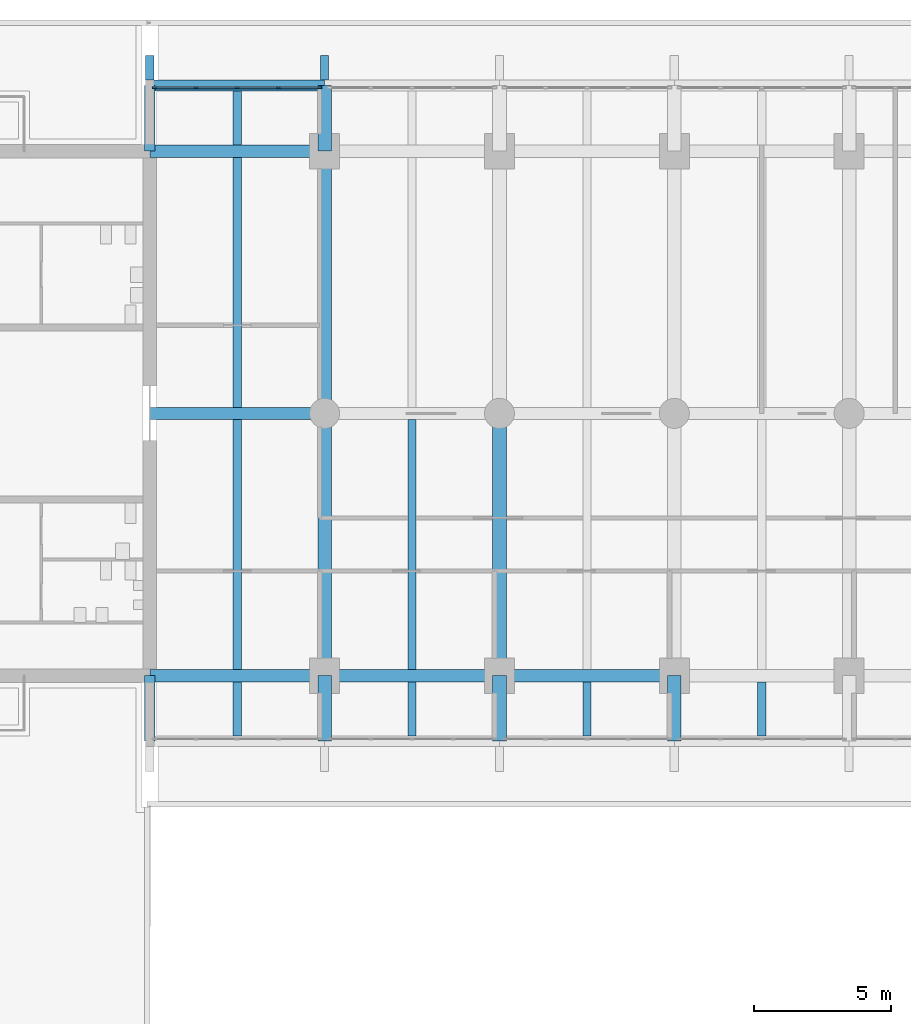
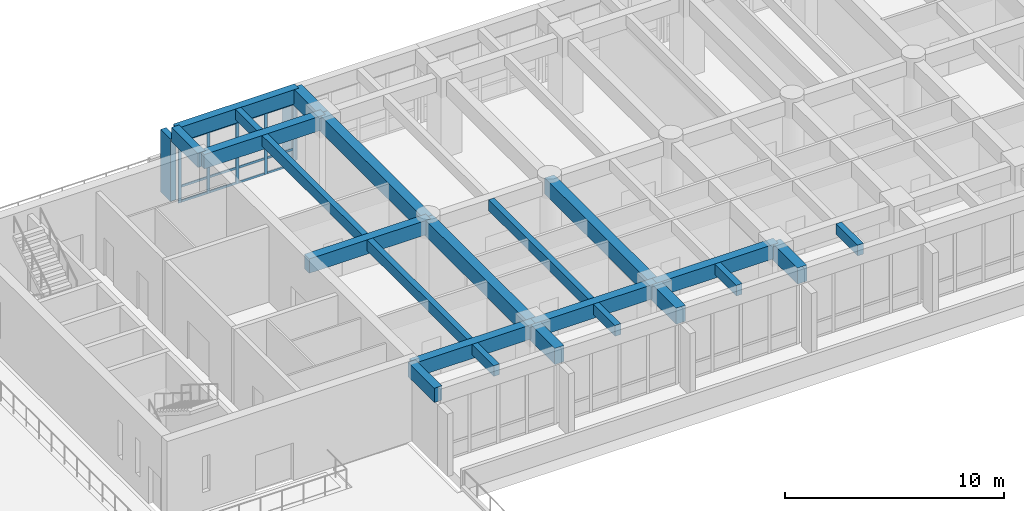
# One storey, part 4 of 21: 23 beams, 19 members, 1 element without a shape of its own.
"""IFC4 building model written with IfcOpenShell, lengths in metres."""

from ifc_helpers import new_model, si_unit, direction, frame, origin, origin_2d, place, context, subcontext, project, spatial, rectangle, extrude, material, layer, layer_set, material_profile, profile_set, type_object, element, aggregate, save


model = new_model("IFC4")

# Units and contexts
model_context = context("Model", 3, precision=1e-05, world=origin(), true_north=direction((0.0, 1.0)))
body_context = subcontext(model_context, "Body", "Model", "MODEL_VIEW")
ifc_project = project(units=[si_unit("LENGTHUNIT", "METRE"), si_unit("AREAUNIT", "SQUARE_METRE"), si_unit("VOLUMEUNIT", "CUBIC_METRE"), si_unit("PLANEANGLEUNIT", "RADIAN"), si_unit("MASSUNIT", "GRAM", prefix="KILO")], contexts=[model_context])

# Site, building, storey
site_placement = place(None, origin())
site = spatial("IfcSite", under=ifc_project, at=site_placement, CompositionType="ELEMENT")
building_placement = place(site_placement, origin())
building = spatial("IfcBuilding", under=site, at=building_placement, Name="Fogon Plaza Fire Station and Headquarters Tower", CompositionType="ELEMENT")
storey_placement = place(building_placement, frame((0.0, 0.0, 8.39990234375)))
storey = spatial("IfcBuildingStorey", under=building, at=storey_placement, Name="L02", CompositionType="ELEMENT", Elevation=8.39990234375)

# Beams
ifc_material_1 = material(Name="Concrete C40", Category="concrete")
ifc_material_profile_1 = material_profile(ifc_material_1, rectangle(XDim=0.39990234375, YDim=0.800048828125, at=origin_2d()), Name="RC 400x800")
ifc_profile_set_1 = profile_set([ifc_material_profile_1], Name="Concrete C40")
beam_type_1 = type_object("IfcBeamType", Name="BEAM RC 400x800", PredefinedType="BEAM", material=ifc_profile_set_1)
beam_1_placement = place(storey_placement, frame((25.60009765625, 55.199951171875, 3.880126953125), z_axis=(1.0, 0.0, 0.0), x_axis=(0.0, 1.0, 0.0)))
element("IfcBeam", 1, at=beam_1_placement, inside=storey, type_object=beam_type_1, Name="beam-L02-045", PredefinedType="BEAM", context=body_context, shape_type="SweptSolid", body=[
    extrude(rectangle(XDim=0.39990234375, YDim=0.800048828125, at=origin_2d()), origin(), (0.0, 0.0, 1.0), 6.39990234375),
])
ifc_material_2 = material(Name="Concrete C40", Category="concrete")
ifc_material_profile_2 = material_profile(ifc_material_2, rectangle(XDim=0.39990234375, YDim=0.800048828125, at=origin_2d()), Name="RC 400x800")
ifc_profile_set_2 = profile_set([ifc_material_profile_2], Name="Concrete C40")
beam_type_2 = type_object("IfcBeamType", Name="BEAM RC 400x800 SPAN 0.0 TO 3.0 M", PredefinedType="BEAM", material=ifc_profile_set_2)
beam_2_placement = place(storey_placement, frame((25.60009765625, 31.199951171875, 3.880126953125), z_axis=(0.0, 1.0, 0.0), x_axis=(-1.0, 0.0, 0.0)))
element("IfcBeam", 2, at=beam_2_placement, inside=storey, type_object=beam_type_2, Name="beam-L02-051", PredefinedType="BEAM", context=body_context, shape_type="SweptSolid", body=[
    extrude(rectangle(XDim=0.39990234375, YDim=0.800048828125, at=origin_2d()), origin(), (0.0, 0.0, 1.0), 2.400146484375),
])
beam_3_placement = place(storey_placement, frame((25.60009765625, 52.800048828125, 3.880126953125), z_axis=(0.0, 1.0, 0.0), x_axis=(-1.0, 0.0, 0.0)))
element("IfcBeam", 3, at=beam_3_placement, inside=storey, type_object=beam_type_2, Name="beam-L02-052", PredefinedType="BEAM", context=body_context, shape_type="SweptSolid", body=[
    extrude(rectangle(XDim=0.39990234375, YDim=0.800048828125, at=origin_2d()), origin(), (0.0, 0.0, 1.0), 2.39990234375),
])
ifc_material_3 = material(Name="Concrete C40", Category="concrete")
ifc_material_profile_3 = material_profile(ifc_material_3, rectangle(XDim=0.449951171875, YDim=0.800048828125, at=origin_2d()), Name="RC 450x800")
ifc_profile_set_3 = profile_set([ifc_material_profile_3], Name="Concrete C40")
beam_type_3 = type_object("IfcBeamType", Name="BEAM RC 450x800", PredefinedType="BEAM", material=ifc_profile_set_3)
for number, where, z_axis, x_axis, name in (
    (4, (25.60009765625, 33.60009765625, 3.880126953125), (1.0, 0.0, 0.0), (0.0, 1.0, 0.0), "beam-L02-021"),
    (5, (32.0, 33.60009765625, 3.880126953125), (1.0, 0.0, 0.0), (0.0, 1.0, 0.0), "beam-L02-022"),
):
    element("IfcBeam", number, at=place(storey_placement, frame(where, z_axis=z_axis, x_axis=x_axis)), inside=storey, type_object=beam_type_3, Name=name, PredefinedType="BEAM", context=body_context, shape_type="SweptSolid", body=[
        extrude(rectangle(XDim=0.449951171875, YDim=0.800048828125, at=origin_2d()), origin(), (0.0, 0.0, 1.0), 6.39990234375),
    ])
beam_4_placement = place(storey_placement, frame((38.39990234375, 33.60009765625, 3.880126953125), z_axis=(1.0, 0.0, 0.0), x_axis=(0.0, 1.0, 0.0)))
element("IfcBeam", 6, at=beam_4_placement, inside=storey, type_object=beam_type_3, Name="beam-L02-023", PredefinedType="BEAM", context=body_context, shape_type="SweptSolid", body=[
    extrude(rectangle(XDim=0.449951171875, YDim=0.800048828125, at=origin_2d()), origin(), (0.0, 0.0, 1.0), 6.400146484375),
])
for number, where, z_axis, x_axis, name in (
    (7, (25.60009765625, 43.199951171875, 3.880126953125), (1.0, 0.0, 0.0), (0.0, 1.0, 0.0), "beam-L02-027"),
    (8, (25.60009765625, 52.800048828125, 3.880126953125), (1.0, 0.0, 0.0), (0.0, 1.0, 0.0), "beam-L02-033"),
):
    element("IfcBeam", number, at=place(storey_placement, frame(where, z_axis=z_axis, x_axis=x_axis)), inside=storey, type_object=beam_type_3, Name=name, PredefinedType="BEAM", context=body_context, shape_type="SweptSolid", body=[
        extrude(rectangle(XDim=0.449951171875, YDim=0.800048828125, at=origin_2d()), origin(), (0.0, 0.0, 1.0), 6.39990234375),
    ])
ifc_material_4 = material(Name="Concrete C40", Category="concrete")
ifc_material_profile_4 = material_profile(ifc_material_4, rectangle(XDim=0.5, YDim=0.89990234375, at=origin_2d()), Name="RC 500x900")
ifc_profile_set_4 = profile_set([ifc_material_profile_4], Name="Concrete C40")
beam_type_4 = type_object("IfcBeamType", Name="BEAM RC 500x900 SPAN 0.0 TO 3.0 M", PredefinedType="BEAM", material=ifc_profile_set_4)
beam_5_placement = place(storey_placement, frame((32.0, 31.199951171875, 3.830078125), z_axis=(0.0, 1.0, 0.0), x_axis=(-1.0, 0.0, 0.0)))
element("IfcBeam", 9, at=beam_5_placement, inside=storey, type_object=beam_type_4, Name="beam-L02-001", PredefinedType="BEAM", context=body_context, shape_type="SweptSolid", body=[
    extrude(rectangle(XDim=0.5, YDim=0.89990234375, at=origin_2d()), origin(), (0.0, 0.0, 1.0), 2.400146484375),
])
beam_6_placement = place(storey_placement, frame((32.0, 52.800048828125, 3.830078125), z_axis=(0.0, 1.0, 0.0), x_axis=(-1.0, 0.0, 0.0)))
element("IfcBeam", 10, at=beam_6_placement, inside=storey, type_object=beam_type_4, Name="beam-L02-004", PredefinedType="BEAM", context=body_context, shape_type="SweptSolid", body=[
    extrude(rectangle(XDim=0.5, YDim=0.89990234375, at=origin_2d()), origin(), (0.0, 0.0, 1.0), 2.39990234375),
])
for number, where, z_axis, x_axis, name in (
    (11, (38.39990234375, 31.199951171875, 3.830078125), (0.0, 1.0, 0.0), (-1.0, 0.0, 0.0), "beam-L02-005"),
    (12, (44.800048828125, 31.199951171875, 3.830078125), (0.0, 1.0, 0.0), (-1.0, 0.0, 0.0), "beam-L02-009"),
):
    element("IfcBeam", number, at=place(storey_placement, frame(where, z_axis=z_axis, x_axis=x_axis)), inside=storey, type_object=beam_type_4, Name=name, PredefinedType="BEAM", context=body_context, shape_type="SweptSolid", body=[
        extrude(rectangle(XDim=0.5, YDim=0.89990234375, at=origin_2d()), origin(), (0.0, 0.0, 1.0), 2.400146484375),
    ])
ifc_material_5 = material(Name="Concrete C40", Category="concrete")
ifc_material_profile_5 = material_profile(ifc_material_5, rectangle(XDim=0.5, YDim=0.89990234375, at=origin_2d()), Name="RC 500x900")
ifc_profile_set_5 = profile_set([ifc_material_profile_5], Name="Concrete C40")
beam_type_5 = type_object("IfcBeamType", Name="BEAM RC 500x900 SPAN 7.7 TO 12.3 M", PredefinedType="BEAM", material=ifc_profile_set_5)
beam_7_placement = place(storey_placement, frame((32.0, 33.60009765625, 3.830078125), z_axis=(0.0, 1.0, 0.0), x_axis=(-1.0, 0.0, 0.0)))
element("IfcBeam", 13, at=beam_7_placement, inside=storey, type_object=beam_type_5, Name="beam-L02-002", PredefinedType="BEAM", context=body_context, shape_type="SweptSolid", body=[
    extrude(rectangle(XDim=0.5, YDim=0.89990234375, at=origin_2d()), origin(), (0.0, 0.0, 1.0), 9.599853515625),
])
beam_8_placement = place(storey_placement, frame((32.0, 43.199951171875, 3.830078125), z_axis=(0.0, 1.0, 0.0), x_axis=(-1.0, 0.0, 0.0)))
element("IfcBeam", 14, at=beam_8_placement, inside=storey, type_object=beam_type_5, Name="beam-L02-003", PredefinedType="BEAM", context=body_context, shape_type="SweptSolid", body=[
    extrude(rectangle(XDim=0.5, YDim=0.89990234375, at=origin_2d()), origin(), (0.0, 0.0, 1.0), 9.60009765625),
])
beam_9_placement = place(storey_placement, frame((38.39990234375, 33.60009765625, 3.830078125), z_axis=(0.0, 1.0, 0.0), x_axis=(-1.0, 0.0, 0.0)))
element("IfcBeam", 15, at=beam_9_placement, inside=storey, type_object=beam_type_5, Name="beam-L02-006", PredefinedType="BEAM", context=body_context, shape_type="SweptSolid", body=[
    extrude(rectangle(XDim=0.5, YDim=0.89990234375, at=origin_2d()), origin(), (0.0, 0.0, 1.0), 9.599853515625),
])

# Curtain wall, members
ifc_material_6 = material(Name="Aluminium and glass", Category="aluminium")
ifc_layer = layer(ifc_material_6, 0.14990234375)
ifc_layer_set = layer_set([ifc_layer], Name="Aluminium and glass")
curtain_wall_type = type_object("IfcCurtainWallType", Name="Unitised Curtain Wall Run 6100x3480", PredefinedType="NOTDEFINED", material=ifc_layer_set)
curtain_wall_placement = place(storey_placement, origin())
curtain_wall = element("IfcCurtainWall", 16, at=curtain_wall_placement, inside=storey, type_object=curtain_wall_type, Name="CW-6100x3480 N1 L02", PredefinedType="NOTDEFINED")
ifc_material_7 = material(Name="Aluminium", Category="aluminium")
ifc_material_profile_6 = material_profile(ifc_material_7, rectangle(XDim=0.06005859375, YDim=0.159912109375, at=origin_2d()), Name="Curtain Wall Mullion 60x160")
ifc_profile_set_6 = profile_set([ifc_material_profile_6], Name="Aluminium")
member_type_1 = type_object("IfcMemberType", Name="Curtain Wall Mullion 60x160", PredefinedType="MULLION", material=ifc_profile_set_6)
member_1_placement = place(storey_placement, frame((25.780029296875, 55.1201171875, 0.0), z_axis=(0.0, 0.0, 1.0), x_axis=(0.0, 1.0, 0.0)))
member_1 = element("IfcMember", 17, at=member_1_placement, type_object=member_type_1, Name="CW-6100x3480 mullion 1", PredefinedType="MULLION", context=body_context, shape_type="SweptSolid", body=[
    extrude(rectangle(XDim=0.06005859375, YDim=0.159912109375, at=origin_2d()), origin(), (0.0, 0.0, 1.0), 3.47998046875),
])
member_2_placement = place(storey_placement, frame((27.2900390625, 55.1201171875, 0.0), z_axis=(0.0, 0.0, 1.0), x_axis=(0.0, 1.0, 0.0)))
member_2 = element("IfcMember", 18, at=member_2_placement, type_object=member_type_1, Name="CW-6100x3480 mullion 2", PredefinedType="MULLION", context=body_context, shape_type="SweptSolid", body=[
    extrude(rectangle(XDim=0.06005859375, YDim=0.159912109375, at=origin_2d()), origin(), (0.0, 0.0, 1.0), 3.47998046875),
])
member_3_placement = place(storey_placement, frame((28.800048828125, 55.1201171875, 0.0), z_axis=(0.0, 0.0, 1.0), x_axis=(0.0, 1.0, 0.0)))
member_3 = element("IfcMember", 19, at=member_3_placement, type_object=member_type_1, Name="CW-6100x3480 mullion 3", PredefinedType="MULLION", context=body_context, shape_type="SweptSolid", body=[
    extrude(rectangle(XDim=0.06005859375, YDim=0.159912109375, at=origin_2d()), origin(), (0.0, 0.0, 1.0), 3.47998046875),
])
member_4_placement = place(storey_placement, frame((30.31005859375, 55.1201171875, 0.0), z_axis=(0.0, 0.0, 1.0), x_axis=(0.0, 1.0, 0.0)))
member_4 = element("IfcMember", 20, at=member_4_placement, type_object=member_type_1, Name="CW-6100x3480 mullion 4", PredefinedType="MULLION", context=body_context, shape_type="SweptSolid", body=[
    extrude(rectangle(XDim=0.06005859375, YDim=0.159912109375, at=origin_2d()), origin(), (0.0, 0.0, 1.0), 3.47998046875),
])
member_5_placement = place(storey_placement, frame((31.820068359375, 55.1201171875, 0.0), z_axis=(0.0, 0.0, 1.0), x_axis=(0.0, 1.0, 0.0)))
member_5 = element("IfcMember", 21, at=member_5_placement, type_object=member_type_1, Name="CW-6100x3480 mullion 5", PredefinedType="MULLION", context=body_context, shape_type="SweptSolid", body=[
    extrude(rectangle(XDim=0.06005859375, YDim=0.159912109375, at=origin_2d()), origin(), (0.0, 0.0, 1.0), 3.47998046875),
])
ifc_material_8 = material(Name="Aluminium", Category="aluminium")
ifc_material_profile_7 = material_profile(ifc_material_8, rectangle(XDim=0.06005859375, YDim=0.1201171875, at=origin_2d()), Name="Curtain Wall Transom 60x120")
ifc_profile_set_7 = profile_set([ifc_material_profile_7], Name="Aluminium")
member_type_2 = type_object("IfcMemberType", Name="Curtain Wall Transom 60x120", PredefinedType="USERDEFINED", material=ifc_profile_set_7)
member_6_placement = place(storey_placement, frame((25.81005859375, 55.1201171875, 0.06005859375), z_axis=(1.0, 0.0, 0.0), x_axis=(0.0, 1.0, 0.0)))
member_6 = element("IfcMember", 22, at=member_6_placement, type_object=member_type_2, Name="CW-6100x3480 transom 1.1", ObjectType="TRANSOM", PredefinedType="USERDEFINED", context=body_context, shape_type="SweptSolid", body=[
    extrude(rectangle(XDim=0.06005859375, YDim=0.1201171875, at=origin_2d()), origin(), (0.0, 0.0, 1.0), 1.449951171875),
])
member_7_placement = place(storey_placement, frame((25.81005859375, 55.1201171875, 0.900146484375), z_axis=(1.0, 0.0, 0.0), x_axis=(0.0, 1.0, 0.0)))
member_7 = element("IfcMember", 23, at=member_7_placement, type_object=member_type_2, Name="CW-6100x3480 transom 1.2", ObjectType="TRANSOM", PredefinedType="USERDEFINED", context=body_context, shape_type="SweptSolid", body=[
    extrude(rectangle(XDim=0.06005859375, YDim=0.1201171875, at=origin_2d()), origin(), (0.0, 0.0, 1.0), 1.449951171875),
])
member_8_placement = place(storey_placement, frame((25.81005859375, 55.1201171875, 3.420166015625), z_axis=(1.0, 0.0, 0.0), x_axis=(0.0, 1.0, 0.0)))
member_8 = element("IfcMember", 24, at=member_8_placement, type_object=member_type_2, Name="CW-6100x3480 transom 1.3", ObjectType="TRANSOM", PredefinedType="USERDEFINED", context=body_context, shape_type="SweptSolid", body=[
    extrude(rectangle(XDim=0.06005859375, YDim=0.1201171875, at=origin_2d()), origin(), (0.0, 0.0, 1.0), 1.449951171875),
])
member_9_placement = place(storey_placement, frame((27.320068359375, 55.1201171875, 0.06005859375), z_axis=(1.0, 0.0, 0.0), x_axis=(0.0, 1.0, 0.0)))
member_9 = element("IfcMember", 25, at=member_9_placement, type_object=member_type_2, Name="CW-6100x3480 transom 2.1", ObjectType="TRANSOM", PredefinedType="USERDEFINED", context=body_context, shape_type="SweptSolid", body=[
    extrude(rectangle(XDim=0.06005859375, YDim=0.1201171875, at=origin_2d()), origin(), (0.0, 0.0, 1.0), 1.449951171875),
])
member_10_placement = place(storey_placement, frame((27.320068359375, 55.1201171875, 0.900146484375), z_axis=(1.0, 0.0, 0.0), x_axis=(0.0, 1.0, 0.0)))
member_10 = element("IfcMember", 26, at=member_10_placement, type_object=member_type_2, Name="CW-6100x3480 transom 2.2", ObjectType="TRANSOM", PredefinedType="USERDEFINED", context=body_context, shape_type="SweptSolid", body=[
    extrude(rectangle(XDim=0.06005859375, YDim=0.1201171875, at=origin_2d()), origin(), (0.0, 0.0, 1.0), 1.449951171875),
])
member_11_placement = place(storey_placement, frame((27.320068359375, 55.1201171875, 3.420166015625), z_axis=(1.0, 0.0, 0.0), x_axis=(0.0, 1.0, 0.0)))
member_11 = element("IfcMember", 27, at=member_11_placement, type_object=member_type_2, Name="CW-6100x3480 transom 2.3", ObjectType="TRANSOM", PredefinedType="USERDEFINED", context=body_context, shape_type="SweptSolid", body=[
    extrude(rectangle(XDim=0.06005859375, YDim=0.1201171875, at=origin_2d()), origin(), (0.0, 0.0, 1.0), 1.449951171875),
])
member_12_placement = place(storey_placement, frame((28.830078125, 55.1201171875, 0.06005859375), z_axis=(1.0, 0.0, 0.0), x_axis=(0.0, 1.0, 0.0)))
member_12 = element("IfcMember", 28, at=member_12_placement, type_object=member_type_2, Name="CW-6100x3480 transom 3.1", ObjectType="TRANSOM", PredefinedType="USERDEFINED", context=body_context, shape_type="SweptSolid", body=[
    extrude(rectangle(XDim=0.06005859375, YDim=0.1201171875, at=origin_2d()), origin(), (0.0, 0.0, 1.0), 1.449951171875),
])
member_13_placement = place(storey_placement, frame((28.830078125, 55.1201171875, 0.900146484375), z_axis=(1.0, 0.0, 0.0), x_axis=(0.0, 1.0, 0.0)))
member_13 = element("IfcMember", 29, at=member_13_placement, type_object=member_type_2, Name="CW-6100x3480 transom 3.2", ObjectType="TRANSOM", PredefinedType="USERDEFINED", context=body_context, shape_type="SweptSolid", body=[
    extrude(rectangle(XDim=0.06005859375, YDim=0.1201171875, at=origin_2d()), origin(), (0.0, 0.0, 1.0), 1.449951171875),
])
member_14_placement = place(storey_placement, frame((28.830078125, 55.1201171875, 3.420166015625), z_axis=(1.0, 0.0, 0.0), x_axis=(0.0, 1.0, 0.0)))
member_14 = element("IfcMember", 30, at=member_14_placement, type_object=member_type_2, Name="CW-6100x3480 transom 3.3", ObjectType="TRANSOM", PredefinedType="USERDEFINED", context=body_context, shape_type="SweptSolid", body=[
    extrude(rectangle(XDim=0.06005859375, YDim=0.1201171875, at=origin_2d()), origin(), (0.0, 0.0, 1.0), 1.449951171875),
])
member_15_placement = place(storey_placement, frame((30.340087890625, 55.1201171875, 0.06005859375), z_axis=(1.0, 0.0, 0.0), x_axis=(0.0, 1.0, 0.0)))
member_15 = element("IfcMember", 31, at=member_15_placement, type_object=member_type_2, Name="CW-6100x3480 transom 4.1", ObjectType="TRANSOM", PredefinedType="USERDEFINED", context=body_context, shape_type="SweptSolid", body=[
    extrude(rectangle(XDim=0.06005859375, YDim=0.1201171875, at=origin_2d()), origin(), (0.0, 0.0, 1.0), 1.449951171875),
])
member_16_placement = place(storey_placement, frame((30.340087890625, 55.1201171875, 0.900146484375), z_axis=(1.0, 0.0, 0.0), x_axis=(0.0, 1.0, 0.0)))
member_16 = element("IfcMember", 32, at=member_16_placement, type_object=member_type_2, Name="CW-6100x3480 transom 4.2", ObjectType="TRANSOM", PredefinedType="USERDEFINED", context=body_context, shape_type="SweptSolid", body=[
    extrude(rectangle(XDim=0.06005859375, YDim=0.1201171875, at=origin_2d()), origin(), (0.0, 0.0, 1.0), 1.449951171875),
])
member_17_placement = place(storey_placement, frame((30.340087890625, 55.1201171875, 3.420166015625), z_axis=(1.0, 0.0, 0.0), x_axis=(0.0, 1.0, 0.0)))
member_17 = element("IfcMember", 33, at=member_17_placement, type_object=member_type_2, Name="CW-6100x3480 transom 4.3", ObjectType="TRANSOM", PredefinedType="USERDEFINED", context=body_context, shape_type="SweptSolid", body=[
    extrude(rectangle(XDim=0.06005859375, YDim=0.1201171875, at=origin_2d()), origin(), (0.0, 0.0, 1.0), 1.449951171875),
])
aggregate(curtain_wall, [member_1, member_2, member_3, member_4, member_5, member_6, member_7, member_8, member_9, member_10, member_11, member_12, member_13, member_14, member_15, member_16, member_17])

# Beams
ifc_material_9 = material(Name="Concrete C40", Category="concrete")
ifc_material_profile_8 = material_profile(ifc_material_9, rectangle(XDim=0.300048828125, YDim=0.60009765625, at=origin_2d()), Name="RC 300x600")
ifc_profile_set_8 = profile_set([ifc_material_profile_8], Name="Concrete C40")
beam_type_6 = type_object("IfcBeamType", Name="JOIST RC 300x600", PredefinedType="JOIST", material=ifc_profile_set_8)
beam_10_placement = place(storey_placement, frame((28.800048828125, 33.824951171875, 3.97998046875), z_axis=(0.0, 1.0, 0.0), x_axis=(-1.0, 0.0, 0.0)))
element("IfcBeam", 34, at=beam_10_placement, inside=storey, type_object=beam_type_6, Name="beam-L02-056", PredefinedType="JOIST", context=body_context, shape_type="SweptSolid", body=[
    extrude(rectangle(XDim=0.300048828125, YDim=0.60009765625, at=origin_2d()), origin(), (0.0, 0.0, 1.0), 9.150146484375),
])
beam_11_placement = place(storey_placement, frame((28.800048828125, 43.425048828125, 3.97998046875), z_axis=(0.0, 1.0, 0.0), x_axis=(-1.0, 0.0, 0.0)))
element("IfcBeam", 35, at=beam_11_placement, inside=storey, type_object=beam_type_6, Name="beam-L02-057", PredefinedType="JOIST", context=body_context, shape_type="SweptSolid", body=[
    extrude(rectangle(XDim=0.300048828125, YDim=0.60009765625, at=origin_2d()), origin(), (0.0, 0.0, 1.0), 9.14990234375),
])
beam_12_placement = place(storey_placement, frame((35.199951171875, 33.824951171875, 3.97998046875), z_axis=(0.0, 1.0, 0.0), x_axis=(-1.0, 0.0, 0.0)))
element("IfcBeam", 36, at=beam_12_placement, inside=storey, type_object=beam_type_6, Name="beam-L02-060", PredefinedType="JOIST", context=body_context, shape_type="SweptSolid", body=[
    extrude(rectangle(XDim=0.300048828125, YDim=0.60009765625, at=origin_2d()), origin(), (0.0, 0.0, 1.0), 9.150146484375),
])
ifc_material_10 = material(Name="Concrete C40", Category="concrete")
ifc_material_profile_9 = material_profile(ifc_material_10, rectangle(XDim=0.300048828125, YDim=0.60009765625, at=origin_2d()), Name="RC 300x600")
ifc_profile_set_9 = profile_set([ifc_material_profile_9], Name="Concrete C40")
beam_type_7 = type_object("IfcBeamType", Name="JOIST RC 300x600 SPAN 0.0 TO 3.0 M", PredefinedType="JOIST", material=ifc_profile_set_9)
for number, where, z_axis, x_axis, name in (
    (37, (28.800048828125, 31.39990234375, 3.97998046875), (0.0, 1.0, 0.0), (-1.0, 0.0, 0.0), "beam-L02-055"),
    (38, (28.800048828125, 53.02490234375, 3.97998046875), (0.0, 1.0, 0.0), (-1.0, 0.0, 0.0), "beam-L02-058"),
    (39, (35.199951171875, 31.39990234375, 3.97998046875), (0.0, 1.0, 0.0), (-1.0, 0.0, 0.0), "beam-L02-059"),
    (40, (41.60009765625, 31.39990234375, 3.97998046875), (0.0, 1.0, 0.0), (-1.0, 0.0, 0.0), "beam-L02-063"),
    (41, (48.0, 31.39990234375, 3.97998046875), (0.0, 1.0, 0.0), (-1.0, 0.0, 0.0), "beam-L02-067"),
):
    element("IfcBeam", number, at=place(storey_placement, frame(where, z_axis=z_axis, x_axis=x_axis)), inside=storey, type_object=beam_type_7, Name=name, PredefinedType="JOIST", context=body_context, shape_type="SweptSolid", body=[
        extrude(rectangle(XDim=0.300048828125, YDim=0.60009765625, at=origin_2d()), origin(), (0.0, 0.0, 1.0), 1.97509765625),
    ])

# Members
ifc_material_11 = material(Name="Concrete C40 precast", Category="concrete")
ifc_material_profile_10 = material_profile(ifc_material_11, rectangle(XDim=0.300048828125, YDim=0.89990234375, at=origin_2d()), Name="Precast Concrete Post 300x900")
ifc_profile_set_10 = profile_set([ifc_material_profile_10], Name="Concrete C40 precast")
member_type_3 = type_object("IfcMemberType", Name="Precast Concrete Post 300x900", PredefinedType="POST", material=ifc_profile_set_10)
for number, where, z_axis, x_axis, name in (
    (42, (25.60009765625, 55.85009765625, 0.0), (0.0, 0.0, 1.0), (1.0, 0.0, 0.0), "Precast Post N L02"),
    (43, (32.0, 55.85009765625, 0.0), (0.0, 0.0, 1.0), (1.0, 0.0, 0.0), "Precast Post N L02"),
):
    element("IfcMember", number, at=place(storey_placement, frame(where, z_axis=z_axis, x_axis=x_axis)), inside=storey, type_object=member_type_3, Name=name, PredefinedType="POST", context=body_context, shape_type="SweptSolid", body=[
        extrude(rectangle(XDim=0.300048828125, YDim=0.89990234375, at=origin_2d()), origin(), (0.0, 0.0, 1.0), 3.47998046875),
    ])

save(model, "model.ifc")
